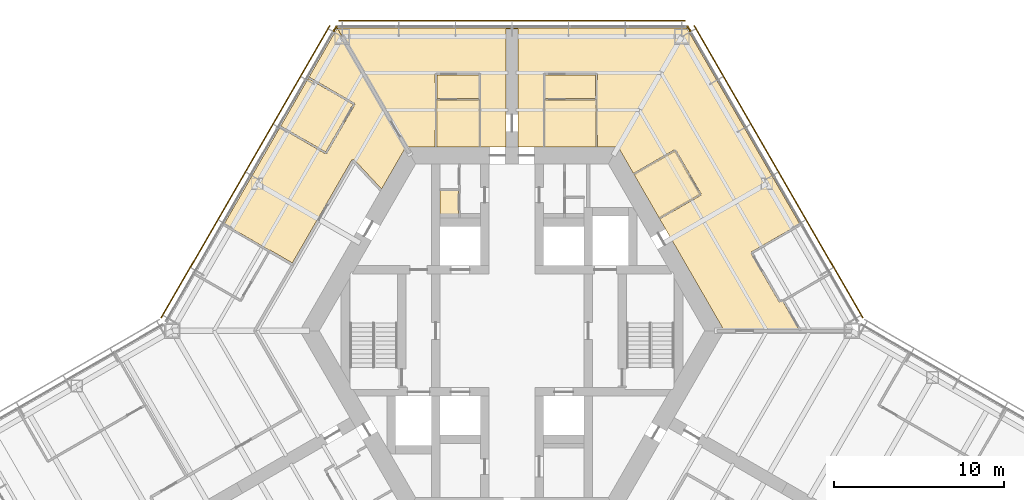
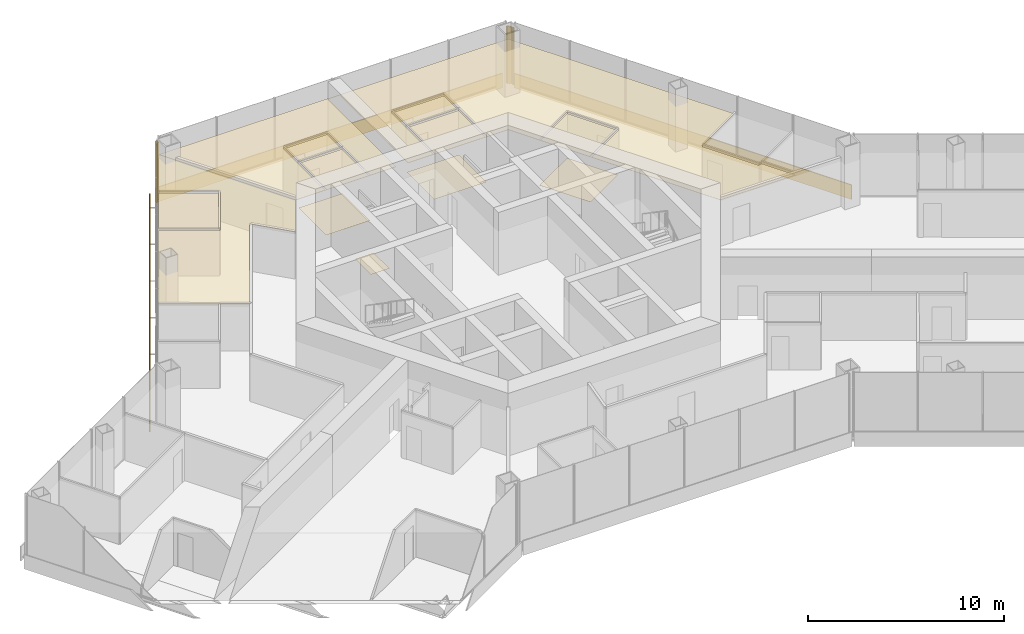
# One storey, part 18 of 18: 15 coverings, 3 shading devices.
"""IFC4 building model written with IfcOpenShell, lengths in metres."""

from ifc_helpers import new_model, si_unit, direction, frame, origin, origin_2d, place, context, subcontext, project, spatial, polyline, rectangle, outline, extrude, material, layer, layer_set, type_object, element, save


model = new_model("IFC4")

# Units and contexts
model_context = context("Model", 3, precision=1e-05, world=origin(), true_north=direction((0.0, 1.0)))
body_context = subcontext(model_context, "Body", "Model", "MODEL_VIEW")
ifc_project = project(units=[si_unit("LENGTHUNIT", "METRE"), si_unit("AREAUNIT", "SQUARE_METRE"), si_unit("VOLUMEUNIT", "CUBIC_METRE"), si_unit("PLANEANGLEUNIT", "RADIAN"), si_unit("MASSUNIT", "GRAM", prefix="KILO")], contexts=[model_context])

# Site, building, storey
site_placement = place(None, origin())
site = spatial("IfcSite", under=ifc_project, at=site_placement, CompositionType="ELEMENT")
building_placement = place(site_placement, origin())
building = spatial("IfcBuilding", under=site, at=building_placement, Name="Kasaneha Research Tower", CompositionType="ELEMENT")
storey_placement = place(building_placement, frame((0.0, 0.0, 133.10009765625)))
storey = spatial("IfcBuildingStorey", under=building, at=storey_placement, Name="L33", CompositionType="ELEMENT", Elevation=133.10009765625)

# Coverings
ifc_material_1 = material(Name="Terracotta", Category="masonry")
covering_type_1 = type_object("IfcCoveringType", Name="Corner pier cladding", PredefinedType="CLADDING", material=ifc_material_1)
covering_1_placement = place(storey_placement, origin())
element("IfcCovering", 1, at=covering_1_placement, inside=storey, type_object=covering_type_1, Name="Corner pier cladding L33 V1", PredefinedType="CLADDING", context=body_context, shape_type="SweptSolid", body=[
    extrude(outline(polyline([(10.481201171875, 17.587158203125), (10.449951171875, 17.64111328125), (10.449951171875, 17.7705078125), (10.375244140625, 17.7705078125), (10.317626953125, 17.87060546875), (10.247314453125, 17.87060546875), (10.247314453125, 17.96044921875), (10.369384765625, 17.96044921875), (10.55908203125, 17.632080078125), (10.481201171875, 17.587158203125)])), origin(), (0.0, 0.0, 1.0), 3.5517578125),
])
covering_2_placement = place(storey_placement, origin())
element("IfcCovering", 2, at=covering_2_placement, inside=storey, type_object=covering_type_1, Name="Corner pier cladding L33 V2", PredefinedType="CLADDING", context=body_context, shape_type="SweptSolid", body=[
    extrude(outline(polyline([(-10.247314453125, 17.87060546875), (-10.317626953125, 17.87060546875), (-10.375244140625, 17.7705078125), (-10.449951171875, 17.7705078125), (-10.449951171875, 17.64111328125), (-10.481201171875, 17.587158203125), (-10.55908203125, 17.632080078125), (-10.369384765625, 17.96044921875), (-10.247314453125, 17.96044921875), (-10.247314453125, 17.87060546875)])), origin(), (0.0, 0.0, 1.0), 3.5517578125),
])
ifc_material_2 = material(Name="Gypsum ceiling board", Category="gypsum")
ifc_layer_1 = layer(ifc_material_2, 0.02001953125)
ifc_layer_set_1 = layer_set([ifc_layer_1], Name="Suspended ceiling 20")
covering_type_2 = type_object("IfcCoveringType", Name="Suspended ceiling 20", PredefinedType="CEILING", material=ifc_layer_set_1)
covering_3_placement = place(storey_placement, frame((0.0, 0.0, 2.7998046875)))
element("IfcCovering", 3, at=covering_3_placement, inside=storey, type_object=covering_type_2, Name="Ceiling L33-26", PredefinedType="CEILING", context=body_context, shape_type="SweptSolid", body=[
    extrude(outline(polyline([(1.89990234375, 10.824951171875), (1.89990234375, 10.844970703125), (1.949951171875, 10.844970703125), (1.95458984375, 13.570068359375), (4.91650390625, 13.570068359375), (4.9208984375, 10.844970703125), (4.970947265625, 10.844970703125), (4.970947265625, 10.824951171875), (1.89990234375, 10.824951171875)])), origin(), (0.0, 0.0, 1.0), 0.02001953125),
])
covering_4_placement = place(storey_placement, frame((0.0, 0.0, 2.7998046875)))
element("IfcCovering", 4, at=covering_4_placement, inside=storey, type_object=covering_type_2, Name="Ceiling L33-27", PredefinedType="CEILING", context=body_context, shape_type="SweptSolid", body=[
    extrude(outline(polyline([(4.91650390625, 13.669921875), (1.954345703125, 13.669921875), (1.9501953125, 15.074951171875), (4.9208984375, 15.074951171875), (4.91650390625, 13.669921875)])), origin(), (0.0, 0.0, 1.0), 0.02001953125),
])
covering_5_placement = place(storey_placement, frame((0.0, 0.0, 2.7998046875)))
element("IfcCovering", 5, at=covering_5_placement, inside=storey, type_object=covering_type_2, Name="Ceiling L33-28", PredefinedType="CEILING", context=body_context, shape_type="SweptSolid", body=[
    extrude(outline(polyline([(7.1748046875, 9.222900390625), (7.19189453125, 9.23291015625), (7.217041015625, 9.189697265625), (9.581298828125, 10.5546875), (11.03125, 8.043212890625), (8.6669921875, 6.67822265625), (8.69189453125, 6.635009765625), (8.6748046875, 6.625), (7.1748046875, 9.222900390625)])), origin(), (0.0, 0.0, 1.0), 0.02001953125),
])
covering_6_placement = place(storey_placement, frame((0.0, 0.0, 2.7998046875)))
element("IfcCovering", 6, at=covering_6_placement, inside=storey, type_object=covering_type_2, Name="Ceiling L33-31", PredefinedType="CEILING", context=body_context, shape_type="SweptSolid", body=[
    extrude(outline(polyline([(8.692138671875, 6.634521484375), (8.717041015625, 6.591552734375), (11.12451171875, 7.981689453125), (11.099609375, 8.02490234375), (11.10009765625, 8.025146484375), (11.10009765625, 8.025146484375), (11.142822265625, 8.0498046875), (9.642822265625, 10.64794921875), (9.599853515625, 10.623291015625), (9.599853515625, 10.62353515625), (9.599365234375, 10.623291015625), (9.57470703125, 10.666259765625), (7.1669921875, 9.2763671875), (7.191650390625, 9.2333984375), (7.174560546875, 9.223388671875), (6.249755859375, 10.824951171875), (4.971435546875, 10.824951171875), (4.971435546875, 10.844970703125), (5.02099609375, 10.844970703125), (5.016357421875, 13.625), (5.02099609375, 15.124755859375), (4.971435546875, 15.125), (4.971435546875, 15.12548828125), (4.970947265625, 15.12548828125), (4.970947265625, 15.175048828125), (1.89990234375, 15.175048828125), (1.89990234375, 15.125244140625), (1.899658203125, 15.125244140625), (1.899658203125, 15.125), (1.85009765625, 15.124755859375), (1.8544921875, 13.625), (1.85009765625, 10.844970703125), (1.8994140625, 10.844970703125), (1.8994140625, 10.824951171875), (0.35009765625, 10.824951171875), (0.35009765625, 11.72509765625), (0.35009765625, 12.72509765625), (0.35009765625, 17.7705078125), (0.35009765625, 17.7705078125), (0.0, 17.7705078125), (0.0, 17.820556640625), (10.28857421875, 17.820556640625), (16.94677734375, 6.28857421875), (14.0888671875, 4.638427734375), (14.11376953125, 4.595458984375), (14.11328125, 4.59521484375), (14.113525390625, 4.594970703125), (14.070556640625, 4.5703125), (15.736083984375, 1.685546875), (15.78662109375, 1.71484375), (15.9345703125, 1.750244140625), (16.93994140625, 0.0), (12.49951171875, 0.0), (8.675048828125, 6.62451171875), (8.692138671875, 6.634521484375)])), origin(), (0.0, 0.0, 1.0), 0.02001953125),
])
covering_7_placement = place(storey_placement, frame((0.0, 0.0, 2.7998046875)))
element("IfcCovering", 7, at=covering_7_placement, inside=storey, type_object=covering_type_2, Name="Ceiling L33-32", PredefinedType="CEILING", context=body_context, shape_type="SweptSolid", body=[
    extrude(outline(polyline([(-4.470947265625, 10.824951171875), (-4.470947265625, 10.844970703125), (-4.4208984375, 10.844970703125), (-4.41650390625, 13.570068359375), (-1.95458984375, 13.570068359375), (-1.949951171875, 10.844970703125), (-1.89990234375, 10.844970703125), (-1.89990234375, 10.824951171875), (-4.470947265625, 10.824951171875)])), origin(), (0.0, 0.0, 1.0), 0.02001953125),
])
covering_8_placement = place(storey_placement, frame((0.0, 0.0, 2.7998046875)))
element("IfcCovering", 8, at=covering_8_placement, inside=storey, type_object=covering_type_2, Name="Ceiling L33-33", PredefinedType="CEILING", context=body_context, shape_type="SweptSolid", body=[
    extrude(outline(polyline([(-1.9501953125, 15.074951171875), (-1.95458984375, 13.669921875), (-4.41650390625, 13.669921875), (-4.4208984375, 15.074951171875), (-1.9501953125, 15.074951171875)])), origin(), (0.0, 0.0, 1.0), 0.02001953125),
])
covering_9_placement = place(storey_placement, frame((0.0, 0.0, 2.7998046875)))
element("IfcCovering", 9, at=covering_9_placement, inside=storey, type_object=covering_type_2, Name="Ceiling L33-34", PredefinedType="CEILING", context=body_context, shape_type="SweptSolid", body=[
    extrude(outline(polyline([(-0.35009765625, 11.72509765625), (-0.35009765625, 10.824951171875), (-1.8994140625, 10.824951171875), (-1.8994140625, 10.844970703125), (-1.85009765625, 10.844970703125), (-1.854736328125, 13.625), (-1.85009765625, 15.124755859375), (-1.89990234375, 15.125), (-1.89990234375, 15.12548828125), (-1.89990234375, 15.175048828125), (-4.470947265625, 15.175048828125), (-4.470947265625, 15.125244140625), (-4.471435546875, 15.125244140625), (-4.471435546875, 15.125), (-4.52099609375, 15.124755859375), (-4.516357421875, 13.625), (-4.52099609375, 10.844970703125), (-4.471435546875, 10.844970703125), (-4.471435546875, 10.824951171875), (-6.249755859375, 10.824951171875), (-10.28857421875, 17.820556640625), (0.0, 17.820556640625), (0.0, 17.7705078125), (-0.35009765625, 17.7705078125), (-0.35009765625, 17.7705078125), (-0.35009765625, 12.72509765625), (-0.35009765625, 11.72509765625)])), origin(), (0.0, 0.0, 1.0), 0.02001953125),
])
covering_10_placement = place(storey_placement, frame((0.0, 0.0, 2.7998046875)))
element("IfcCovering", 10, at=covering_10_placement, inside=storey, type_object=covering_type_2, Name="Ceiling L33-37", PredefinedType="CEILING", context=body_context, shape_type="SweptSolid", body=[
    extrude(outline(polyline([(-12.000244140625, 14.85595703125), (-9.35888671875, 13.330810546875), (-10.974365234375, 10.53271484375), (-13.598388671875, 12.0478515625), (-13.623291015625, 12.004638671875), (-13.640869140625, 12.0146484375), (-12.000244140625, 14.85595703125)])), origin(), (0.0, 0.0, 1.0), 0.02001953125),
])
covering_11_placement = place(storey_placement, frame((0.0, 0.0, 2.7998046875)))
element("IfcCovering", 11, at=covering_11_placement, inside=storey, type_object=covering_type_2, Name="Ceiling L33-42", PredefinedType="CEILING", context=body_context, shape_type="SweptSolid", body=[
    extrude(outline(polyline([(-9.360595703125, 10.037841796875), (-9.360595703125, 10.037841796875), (-9.425048828125, 10.0751953125), (-12.93505859375, 3.99560546875), (-14.25146484375, 4.755859375), (-14.28662109375, 4.695068359375), (-14.286865234375, 4.6953125), (-14.264404296875, 4.734375), (-16.94677734375, 6.28857421875), (-13.64111328125, 12.01416015625), (-13.62353515625, 12.004150390625), (-13.6484375, 11.961181640625), (-10.981201171875, 10.421142578125), (-10.9560546875, 10.464599609375), (-10.912841796875, 10.439453125), (-9.247314453125, 13.32421875), (-9.290283203125, 13.34912109375), (-9.2900390625, 13.349365234375), (-9.29052734375, 13.349609375), (-9.265625, 13.392578125), (-11.9501953125, 14.9423828125), (-10.28857421875, 17.820556640625), (-6.249755859375, 10.824951171875), (-7.6806640625, 8.346435546875), (-9.305419921875, 10.0888671875), (-9.360107421875, 10.03759765625), (-9.3603515625, 10.03759765625), (-9.360595703125, 10.037841796875)])), origin(), (0.0, 0.0, 1.0), 0.02001953125),
])

# Shading devices
ifc_material_3 = material(Name="Terracotta", Category="masonry")
ifc_layer_2 = layer(ifc_material_3, 0.06005859375)
ifc_layer_set_2 = layer_set([ifc_layer_2], Name="Terracotta baguette screen")
shading_device_type = type_object("IfcShadingDeviceType", Name="Terracotta baguette screen", PredefinedType="USERDEFINED", material=ifc_layer_set_2)
shading_device_1_placement = place(storey_placement, frame((15.696044921875, 9.35498046875, -0.449951171875), z_axis=(0.0, 0.0, 1.0), x_axis=(-0.499999979232, 0.866025415775, 0.0)))
element("IfcShadingDevice", 12, at=shading_device_1_placement, inside=storey, type_object=shading_device_type, Name="Baguette screen L33 06", ObjectType="TERRACOTTA BAGUETTE SCREEN", PredefinedType="USERDEFINED", context=body_context, shape_type="SweptSolid", body=[
    extrude(rectangle(XDim=19.8857421875, YDim=0.06005859375, at=origin_2d()), origin(), (0.0, 0.0, 1.0), 0.89990234375),
])
shading_device_2_placement = place(storey_placement, frame((0.0, 18.2705078125, -0.449951171875), z_axis=(0.0, 0.0, 1.0), x_axis=(-1.0, 0.0, 0.0)))
element("IfcShadingDevice", 13, at=shading_device_2_placement, inside=storey, type_object=shading_device_type, Name="Baguette screen L33 07", ObjectType="TERRACOTTA BAGUETTE SCREEN", PredefinedType="USERDEFINED", context=body_context, shape_type="SweptSolid", body=[
    extrude(rectangle(XDim=20.392822265625, YDim=0.06005859375, at=origin_2d()), origin(), (0.0, 0.0, 1.0), 0.89990234375),
])
shading_device_3_placement = place(storey_placement, frame((-15.696044921875, 9.35498046875, -0.449951171875), z_axis=(0.0, 0.0, 1.0), x_axis=(-0.499999979232, -0.866025415775, 0.0)))
element("IfcShadingDevice", 14, at=shading_device_3_placement, inside=storey, type_object=shading_device_type, Name="Baguette screen L33 08", ObjectType="TERRACOTTA BAGUETTE SCREEN", PredefinedType="USERDEFINED", context=body_context, shape_type="SweptSolid", body=[
    extrude(rectangle(XDim=19.8857421875, YDim=0.06005859375, at=origin_2d()), origin(), (0.0, 0.0, 1.0), 0.89990234375),
])

# Coverings
ifc_material_4 = material(Name="Vinyl sheet flooring", Category="plastic")
ifc_layer_3 = layer(ifc_material_4, 0.0048828125)
ifc_layer_set_3 = layer_set([ifc_layer_3], Name="Wet room sheet flooring 5")
covering_type_3 = type_object("IfcCoveringType", Name="Wet room sheet flooring 5", PredefinedType="FLOORING", material=ifc_layer_set_3)
covering_12_placement = place(storey_placement, origin())
element("IfcCovering", 15, at=covering_12_placement, inside=storey, type_object=covering_type_3, Name="Floor finish L33-07", PredefinedType="FLOORING", context=body_context, shape_type="SweptSolid", body=[
    extrude(outline(polyline([(-4.25, 6.64990234375), (-4.25, 8.25), (-3.14990234375, 8.25), (-3.14990234375, 6.64990234375), (-4.25, 6.64990234375)])), origin(), (0.0, 0.0, 1.0), 0.0048828125),
])
covering_13_placement = place(storey_placement, origin())
element("IfcCovering", 16, at=covering_13_placement, inside=storey, type_object=covering_type_3, Name="Floor finish L33-26", PredefinedType="FLOORING", context=body_context, shape_type="SweptSolid", body=[
    extrude(outline(polyline([(4.970947265625, 13.625), (4.970947265625, 10.824951171875), (1.89990234375, 10.824951171875), (1.89990234375, 13.625), (4.970947265625, 13.625)])), origin(), (0.0, 0.0, 1.0), 0.0048828125),
])
covering_14_placement = place(storey_placement, origin())
element("IfcCovering", 17, at=covering_14_placement, inside=storey, type_object=covering_type_3, Name="Floor finish L33-28", PredefinedType="FLOORING", context=body_context, shape_type="SweptSolid", body=[
    extrude(outline(polyline([(11.099609375, 8.02490234375), (8.6748046875, 6.625), (7.1748046875, 9.222900390625), (9.599609375, 10.623046875), (11.099609375, 8.02490234375)])), origin(), (0.0, 0.0, 1.0), 0.0048828125),
])
covering_15_placement = place(storey_placement, origin())
element("IfcCovering", 18, at=covering_15_placement, inside=storey, type_object=covering_type_3, Name="Floor finish L33-32", PredefinedType="FLOORING", context=body_context, shape_type="SweptSolid", body=[
    extrude(outline(polyline([(-1.89990234375, 13.625), (-1.89990234375, 10.824951171875), (-4.470947265625, 10.824951171875), (-4.470947265625, 13.625), (-1.89990234375, 13.625)])), origin(), (0.0, 0.0, 1.0), 0.0048828125),
])

save(model, "model.ifc")
